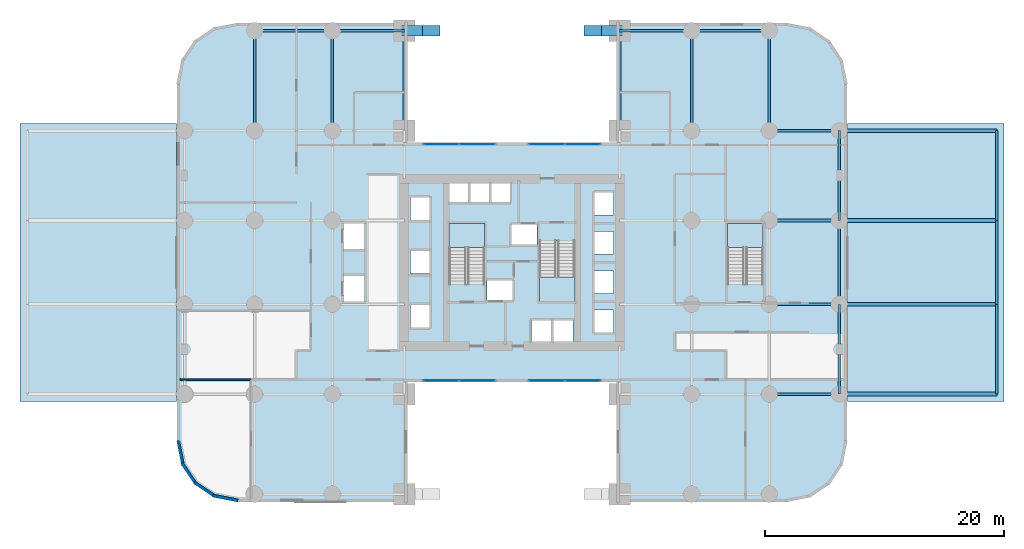
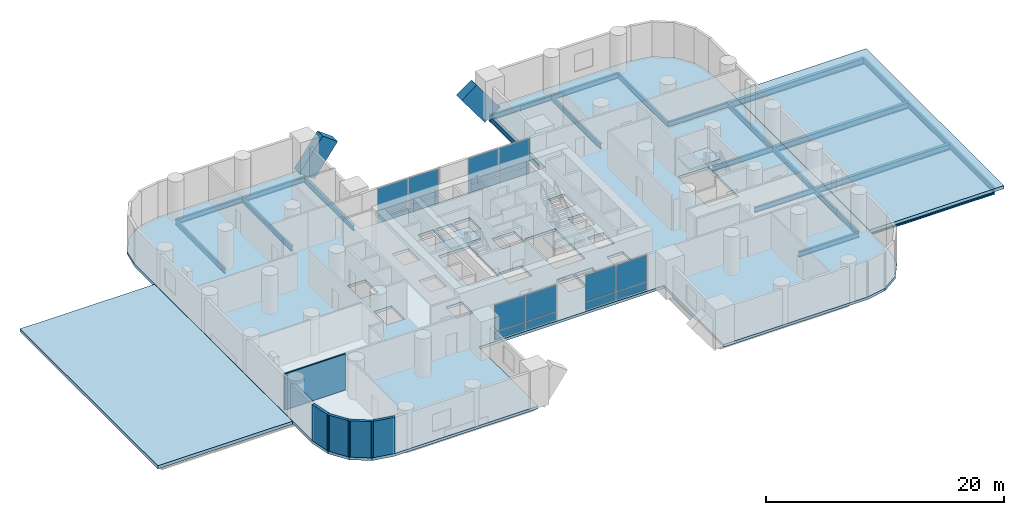
# One storey, part 3 of 8: 26 beams, 16 plates, 6 slabs, 5 walls, 2 members, 7 elements without a shape of their own.
"""IFC4 building model written with IfcOpenShell, lengths in metres."""

from ifc_helpers import new_model, si_unit, direction, frame, frame_2d, origin, origin_2d, place, context, subcontext, project, spatial, polyline, rectangle, i_section, outline, extrude, material, layer, layer_set, material_profile, profile_set, type_object, element, aggregate, save


model = new_model("IFC4")

# Units and contexts
model_context = context("Model", 3, precision=1e-05, world=origin(), true_north=direction((0.0, 1.0)))
body_context = subcontext(model_context, "Body", "Model", "MODEL_VIEW")
ifc_project = project(units=[si_unit("LENGTHUNIT", "METRE"), si_unit("AREAUNIT", "SQUARE_METRE"), si_unit("VOLUMEUNIT", "CUBIC_METRE"), si_unit("PLANEANGLEUNIT", "RADIAN"), si_unit("MASSUNIT", "GRAM", prefix="KILO")], contexts=[model_context])

# Site, building, storey
site_placement = place(None, origin())
site = spatial("IfcSite", under=ifc_project, at=site_placement, CompositionType="ELEMENT")
building_placement = place(site_placement, origin())
building = spatial("IfcBuilding", under=site, at=building_placement, Name="Veldorim Arch Residences", CompositionType="ELEMENT")
storey_placement = place(building_placement, frame((0.0, 0.0, 4.0)))
storey = spatial("IfcBuildingStorey", under=building, at=storey_placement, Name="L01", CompositionType="ELEMENT", Elevation=4.0)

# Members
ifc_material_1 = material(Name="Concrete C60/75", Category="concrete")
ifc_material_profile_1 = material_profile(ifc_material_1, rectangle(XDim=0.89990234375, YDim=1.800048828125, at=origin_2d()), Name="RC_RECT_900x1800")
ifc_profile_set_1 = profile_set([ifc_material_profile_1], Name="Concrete C60/75")
member_type = type_object("IfcMemberType", Name="Giant Podium Arch Parabolic Rib 900x1800", PredefinedType="STRUT", material=ifc_profile_set_1)
for number, where, z_axis, x_axis, name in (
    (1, (23.0, 43.35009765625, 0.0), (0.592076433961, 0.0, 0.805881812891), (0.0, 1.0, 0.0), "Giant Podium Arch N parabolic rib segment 1"),
    (2, (38.75, 43.35009765625, 3.0625), (0.592076433961, 0.0, -0.805881812891), (0.0, 1.0, 0.0), "Giant Podium Arch N parabolic rib segment 8"),
):
    element("IfcMember", number, at=place(storey_placement, frame(where, z_axis=z_axis, x_axis=x_axis)), inside=storey, type_object=member_type, Name=name, PredefinedType="STRUT", context=body_context, shape_type="SweptSolid", body=[
        extrude(rectangle(XDim=0.89990234375, YDim=1.800048828125, at=origin_2d()), origin(), (0.0, 0.0, 1.0), 3.80029296875),
    ])

# Beams
ifc_material_2 = material(Name="Steel S355", Category="steel")
ifc_material_profile_2 = material_profile(ifc_material_2, i_section(OverallWidth=0.2099609375, OverallDepth=0.53662109375, WebThickness=0.0107421875, FlangeThickness=0.017333984375, at=origin_2d()), Name="UB533x210x101")
ifc_profile_set_2 = profile_set([ifc_material_profile_2], Name="Steel S355")
beam_type_1 = type_object("IfcBeamType", Name="Structural Steel Beam UB533x210x101", PredefinedType="BEAM", material=ifc_profile_set_2)
for number, where, z_axis, x_axis, name in (
    (3, (10.5, 35.0, -0.54833984375), (0.0, 1.0, 0.0), (-1.0, 0.0, 0.0), "L01 north-south floor beam (X=10.5, 35.0-43.4)"),
    (4, (17.0, 35.0, -0.54833984375), (0.0, 1.0, 0.0), (-1.0, 0.0, 0.0), "L01 north-south floor beam (X=17.0, 35.0-43.4)"),
    (5, (23.0, 35.0, -0.54833984375), (0.0, 1.0, 0.0), (-1.0, 0.0, 0.0), "L01 north-south floor beam (X=23.0, 35.0-43.4)"),
    (6, (41.0, 35.0, -0.54833984375), (0.0, 1.0, 0.0), (-1.0, 0.0, 0.0), "L01 north-south floor beam (X=41.0, 35.0-43.4)"),
    (7, (47.0, 35.0, -0.54833984375), (0.0, 1.0, 0.0), (-1.0, 0.0, 0.0), "L01 north-south floor beam (X=47.0, 35.0-43.4)"),
    (8, (53.5, 35.0, -0.54833984375), (0.0, 1.0, 0.0), (-1.0, 0.0, 0.0), "L01 north-south floor beam (X=53.5, 35.0-43.4)"),
):
    element("IfcBeam", number, at=place(storey_placement, frame(where, z_axis=z_axis, x_axis=x_axis)), inside=storey, type_object=beam_type_1, Name=name, PredefinedType="BEAM", context=body_context, shape_type="SweptSolid", body=[
        extrude(i_section(OverallWidth=0.2099609375, OverallDepth=0.53662109375, WebThickness=0.0107421875, FlangeThickness=0.017333984375, at=origin_2d()), origin(), (0.0, 0.0, 1.0), 8.35009765625),
    ])
for number, where, z_axis, x_axis, name in (
    (9, (59.35009765625, 13.0, -0.54833984375), (0.0, 1.0, 0.0), (-1.0, 0.0, 0.0), "L01 north-south floor beam (X=59.4, 13.0-16.8)"),
    (10, (59.35009765625, 16.75, -0.54833984375), (0.0, 1.0, 0.0), (-1.0, 0.0, 0.0), "L01 north-south floor beam (X=59.4, 16.8-20.5)"),
):
    element("IfcBeam", number, at=place(storey_placement, frame(where, z_axis=z_axis, x_axis=x_axis)), inside=storey, type_object=beam_type_1, Name=name, PredefinedType="BEAM", context=body_context, shape_type="SweptSolid", body=[
        extrude(i_section(OverallWidth=0.2099609375, OverallDepth=0.53662109375, WebThickness=0.0107421875, FlangeThickness=0.017333984375, at=origin_2d()), origin(), (0.0, 0.0, 1.0), 3.75),
    ])
beam_1_placement = place(storey_placement, frame((59.35009765625, 20.5, -0.54833984375), z_axis=(0.0, 1.0, 0.0), x_axis=(-1.0, 0.0, 0.0)))
element("IfcBeam", 11, at=beam_1_placement, inside=storey, type_object=beam_type_1, Name="L01 north-south floor beam (X=59.4, 20.5-27.5)", PredefinedType="BEAM", context=body_context, shape_type="SweptSolid", body=[
    extrude(i_section(OverallWidth=0.2099609375, OverallDepth=0.53662109375, WebThickness=0.0107421875, FlangeThickness=0.017333984375, at=origin_2d()), origin(), (0.0, 0.0, 1.0), 7.0),
])
for number, where, z_axis, x_axis, name in (
    (12, (59.35009765625, 27.5, -0.54833984375), (0.0, 1.0, 0.0), (-1.0, 0.0, 0.0), "L01 north-south floor beam (X=59.4, 27.5-31.2)"),
    (13, (59.35009765625, 31.25, -0.54833984375), (0.0, 1.0, 0.0), (-1.0, 0.0, 0.0), "L01 north-south floor beam (X=59.4, 31.2-35.0)"),
):
    element("IfcBeam", number, at=place(storey_placement, frame(where, z_axis=z_axis, x_axis=x_axis)), inside=storey, type_object=beam_type_1, Name=name, PredefinedType="BEAM", context=body_context, shape_type="SweptSolid", body=[
        extrude(i_section(OverallWidth=0.2099609375, OverallDepth=0.53662109375, WebThickness=0.0107421875, FlangeThickness=0.017333984375, at=origin_2d()), origin(), (0.0, 0.0, 1.0), 3.75),
    ])
beam_2_placement = place(storey_placement, frame((72.5, 13.0, -0.58837890625), z_axis=(0.0, 1.0, 0.0), x_axis=(-1.0, 0.0, 0.0)))
element("IfcBeam", 14, at=beam_2_placement, inside=storey, type_object=beam_type_1, Name="L01 north-south floor beam (X=72.5, 13.0-20.5)", PredefinedType="BEAM", context=body_context, shape_type="SweptSolid", body=[
    extrude(i_section(OverallWidth=0.2099609375, OverallDepth=0.53662109375, WebThickness=0.0107421875, FlangeThickness=0.017333984375, at=origin_2d()), origin(), (0.0, 0.0, 1.0), 7.5),
])
beam_3_placement = place(storey_placement, frame((72.5, 20.5, -0.58837890625), z_axis=(0.0, 1.0, 0.0), x_axis=(-1.0, 0.0, 0.0)))
element("IfcBeam", 15, at=beam_3_placement, inside=storey, type_object=beam_type_1, Name="L01 north-south floor beam (X=72.5, 20.5-27.5)", PredefinedType="BEAM", context=body_context, shape_type="SweptSolid", body=[
    extrude(i_section(OverallWidth=0.2099609375, OverallDepth=0.53662109375, WebThickness=0.0107421875, FlangeThickness=0.017333984375, at=origin_2d()), origin(), (0.0, 0.0, 1.0), 7.0),
])
beam_4_placement = place(storey_placement, frame((72.5, 27.5, -0.58837890625), z_axis=(0.0, 1.0, 0.0), x_axis=(-1.0, 0.0, 0.0)))
element("IfcBeam", 16, at=beam_4_placement, inside=storey, type_object=beam_type_1, Name="L01 north-south floor beam (X=72.5, 27.5-35.0)", PredefinedType="BEAM", context=body_context, shape_type="SweptSolid", body=[
    extrude(i_section(OverallWidth=0.2099609375, OverallDepth=0.53662109375, WebThickness=0.0107421875, FlangeThickness=0.017333984375, at=origin_2d()), origin(), (0.0, 0.0, 1.0), 7.5),
])
ifc_material_3 = material(Name="Steel S355", Category="steel")
ifc_material_profile_3 = material_profile(ifc_material_3, i_section(OverallWidth=0.2119140625, OverallDepth=0.54443359375, WebThickness=0.0126953125, FlangeThickness=0.021240234375, at=origin_2d()), Name="UB533x210x122")
ifc_profile_set_3 = profile_set([ifc_material_profile_3], Name="Steel S355")
beam_type_2 = type_object("IfcBeamType", Name="Structural Steel Beam UB533x210x122", PredefinedType="BEAM", material=ifc_profile_set_3)
for number, where, z_axis, x_axis, name in (
    (17, (53.5, 13.0, -0.55224609375), (1.0, 0.0, 0.0), (0.0, 1.0, 0.0), "L01 east-west floor beam (53.5-59.4, Y=13.0)"),
    (18, (53.5, 20.5, -0.55224609375), (1.0, 0.0, 0.0), (0.0, 1.0, 0.0), "L01 east-west floor beam (53.5-59.4, Y=20.5)"),
    (19, (53.5, 27.5, -0.55224609375), (1.0, 0.0, 0.0), (0.0, 1.0, 0.0), "L01 east-west floor beam (53.5-59.4, Y=27.5)"),
    (20, (53.5, 35.0, -0.55224609375), (1.0, 0.0, 0.0), (0.0, 1.0, 0.0), "L01 east-west floor beam (53.5-59.4, Y=35.0)"),
):
    element("IfcBeam", number, at=place(storey_placement, frame(where, z_axis=z_axis, x_axis=x_axis)), inside=storey, type_object=beam_type_2, Name=name, PredefinedType="BEAM", context=body_context, shape_type="SweptSolid", body=[
        extrude(i_section(OverallWidth=0.2119140625, OverallDepth=0.54443359375, WebThickness=0.0126953125, FlangeThickness=0.021240234375, at=origin_2d()), origin(), (0.0, 0.0, 1.0), 5.85009765625),
    ])
beam_5_placement = place(storey_placement, frame((10.5, 43.35009765625, -0.55224609375), z_axis=(1.0, 0.0, 0.0), x_axis=(0.0, 1.0, 0.0)))
element("IfcBeam", 21, at=beam_5_placement, inside=storey, type_object=beam_type_2, Name="L01 east-west floor beam (10.5-17.0, Y=43.4)", PredefinedType="BEAM", context=body_context, shape_type="SweptSolid", body=[
    extrude(i_section(OverallWidth=0.2119140625, OverallDepth=0.54443359375, WebThickness=0.0126953125, FlangeThickness=0.021240234375, at=origin_2d()), origin(), (0.0, 0.0, 1.0), 6.5),
])
for number, where, z_axis, x_axis, name in (
    (22, (17.0, 43.35009765625, -0.55224609375), (1.0, 0.0, 0.0), (0.0, 1.0, 0.0), "L01 east-west floor beam (17.0-23.0, Y=43.4)"),
    (23, (41.0, 43.35009765625, -0.55224609375), (1.0, 0.0, 0.0), (0.0, 1.0, 0.0), "L01 east-west floor beam (41.0-47.0, Y=43.4)"),
):
    element("IfcBeam", number, at=place(storey_placement, frame(where, z_axis=z_axis, x_axis=x_axis)), inside=storey, type_object=beam_type_2, Name=name, PredefinedType="BEAM", context=body_context, shape_type="SweptSolid", body=[
        extrude(i_section(OverallWidth=0.2119140625, OverallDepth=0.54443359375, WebThickness=0.0126953125, FlangeThickness=0.021240234375, at=origin_2d()), origin(), (0.0, 0.0, 1.0), 6.0),
    ])
beam_6_placement = place(storey_placement, frame((47.0, 43.35009765625, -0.55224609375), z_axis=(1.0, 0.0, 0.0), x_axis=(0.0, 1.0, 0.0)))
element("IfcBeam", 24, at=beam_6_placement, inside=storey, type_object=beam_type_2, Name="L01 east-west floor beam (47.0-53.5, Y=43.4)", PredefinedType="BEAM", context=body_context, shape_type="SweptSolid", body=[
    extrude(i_section(OverallWidth=0.2119140625, OverallDepth=0.54443359375, WebThickness=0.0126953125, FlangeThickness=0.021240234375, at=origin_2d()), origin(), (0.0, 0.0, 1.0), 6.5),
])
ifc_material_4 = material(Name="Steel S355", Category="steel")
ifc_material_profile_4 = material_profile(ifc_material_4, i_section(OverallWidth=0.30712890625, OverallDepth=0.6201171875, WebThickness=0.01416015625, FlangeThickness=0.023681640625, at=origin_2d()), Name="UB610x305x179")
ifc_profile_set_4 = profile_set([ifc_material_profile_4], Name="Steel S355")
beam_type_3 = type_object("IfcBeamType", Name="Structural Steel Beam UB610x305x179", PredefinedType="BEAM", material=ifc_profile_set_4)
for number, where, z_axis, x_axis, name in (
    (25, (59.35009765625, 13.0, -0.630126953125), (1.0, 0.0, 0.0), (0.0, 1.0, 0.0), "L01 east-west floor beam (59.4-72.5, Y=13.0)"),
    (26, (59.35009765625, 20.5, -0.630126953125), (1.0, 0.0, 0.0), (0.0, 1.0, 0.0), "L01 east-west floor beam (59.4-72.5, Y=20.5)"),
    (27, (59.35009765625, 27.5, -0.630126953125), (1.0, 0.0, 0.0), (0.0, 1.0, 0.0), "L01 east-west floor beam (59.4-72.5, Y=27.5)"),
    (28, (59.35009765625, 35.0, -0.630126953125), (1.0, 0.0, 0.0), (0.0, 1.0, 0.0), "L01 east-west floor beam (59.4-72.5, Y=35.0)"),
):
    element("IfcBeam", number, at=place(storey_placement, frame(where, z_axis=z_axis, x_axis=x_axis)), inside=storey, type_object=beam_type_3, Name=name, PredefinedType="BEAM", context=body_context, shape_type="SweptSolid", body=[
        extrude(i_section(OverallWidth=0.30712890625, OverallDepth=0.6201171875, WebThickness=0.01416015625, FlangeThickness=0.023681640625, at=origin_2d()), origin(), (0.0, 0.0, 1.0), 13.14990234375),
    ])

# Slabs
ifc_material_5 = material(Name="Concrete C40/50", Category="concrete")
ifc_layer_1 = layer(ifc_material_5, 0.320068359375, Name="Podium & Drop-Off Canopy Roof Slab 320")
ifc_layer_set_1 = layer_set([ifc_layer_1], Name="Concrete C40/50")
slab_type_1 = type_object("IfcSlabType", Name="Podium & Drop-Off Canopy Roof Slab 320", PredefinedType="ROOF", material=ifc_layer_set_1)
slab_1_placement = place(storey_placement, frame((0.0, 0.0, -0.320068359375)))
element("IfcSlab", 29, at=slab_1_placement, inside=storey, type_object=slab_type_1, Name="L01 west ambulance drop-off canopy roof slab", PredefinedType="ROOF", context=body_context, shape_type="SweptSolid", body=[
    extrude(outline(polyline([(-9.10009765625, 12.39990234375), (3.969970703125, 12.39990234375), (3.969970703125, 35.60009765625), (-9.10009765625, 35.60009765625), (-9.10009765625, 12.39990234375)])), origin(), (0.0, 0.0, 1.0), 0.320068359375),
])
slab_2_placement = place(storey_placement, frame((0.0, 0.0, -0.320068359375)))
element("IfcSlab", 30, at=slab_2_placement, inside=storey, type_object=slab_type_1, Name="L01 east polyclinic drop-off canopy roof slab", PredefinedType="ROOF", context=body_context, shape_type="SweptSolid", body=[
    extrude(outline(polyline([(60.030029296875, 12.39990234375), (73.10009765625, 12.39990234375), (73.10009765625, 35.60009765625), (60.030029296875, 35.60009765625), (60.030029296875, 12.39990234375)])), origin(), (0.0, 0.0, 1.0), 0.320068359375),
])

# Curtain wall, plates
ifc_material_6 = material(Name="Aluminium", Category="aluminium")
curtain_wall_type = type_object("IfcCurtainWallType", Name="Podium Clinic Double-Glazed Curtain Wall", PredefinedType="NOTDEFINED", material=ifc_material_6)
curtain_wall_1_placement = place(storey_placement, origin())
curtain_wall_1 = element("IfcCurtainWall", 31, at=curtain_wall_1_placement, inside=storey, type_object=curtain_wall_type, Name="L01 polyclinic curtain wall 11-1", PredefinedType="NOTDEFINED")
ifc_material_7 = material(Name="Laminated Low-E Glass", Category="glass")
ifc_layer_2 = layer(ifc_material_7, 0.028076171875, Name="Podium Clinic Double-Glazed Curtain Wall Glazing Panel 28")
ifc_layer_set_2 = layer_set([ifc_layer_2], Name="Laminated Low-E Glass")
plate_type = type_object("IfcPlateType", Name="Podium Clinic Double-Glazed Curtain Wall Glazing Panel 28", PredefinedType="CURTAIN_PANEL", material=ifc_layer_set_2)
plate_1_placement = place(storey_placement, frame((37.90625, 14.125, 0.074951171875), z_axis=(0.0, 0.0, 1.0), x_axis=(-1.0, 0.0, 0.0)))
plate_1 = element("IfcPlate", 32, at=plate_1_placement, type_object=plate_type, Name="CW-POD panel 1.1", PredefinedType="CURTAIN_PANEL", context=body_context, shape_type="SweptSolid", body=[
    extrude(rectangle(XDim=2.9375, YDim=0.028076171875, at=origin_2d()), origin(), (0.0, 0.0, 1.0), 0.78759765625),
])
plate_2_placement = place(storey_placement, frame((37.90625, 14.125, 0.9375), z_axis=(0.0, 0.0, 1.0), x_axis=(-1.0, 0.0, 0.0)))
plate_2 = element("IfcPlate", 33, at=plate_2_placement, type_object=plate_type, Name="CW-POD panel 1.2", PredefinedType="CURTAIN_PANEL", context=body_context, shape_type="SweptSolid", body=[
    extrude(rectangle(XDim=2.9375, YDim=0.028076171875, at=origin_2d()), origin(), (0.0, 0.0, 1.0), 2.70751953125),
])
plate_3_placement = place(storey_placement, frame((34.893798828125, 14.125, 0.074951171875), z_axis=(0.0, 0.0, 1.0), x_axis=(-1.0, 0.0, 0.0)))
plate_3 = element("IfcPlate", 34, at=plate_3_placement, type_object=plate_type, Name="CW-POD panel 2.1", PredefinedType="CURTAIN_PANEL", context=body_context, shape_type="SweptSolid", body=[
    extrude(rectangle(XDim=2.9375, YDim=0.028076171875, at=origin_2d()), origin(), (0.0, 0.0, 1.0), 0.78759765625),
])
plate_4_placement = place(storey_placement, frame((34.893798828125, 14.125, 0.9375), z_axis=(0.0, 0.0, 1.0), x_axis=(-1.0, 0.0, 0.0)))
plate_4 = element("IfcPlate", 35, at=plate_4_placement, type_object=plate_type, Name="CW-POD panel 2.2", PredefinedType="CURTAIN_PANEL", context=body_context, shape_type="SweptSolid", body=[
    extrude(rectangle(XDim=2.9375, YDim=0.028076171875, at=origin_2d()), origin(), (0.0, 0.0, 1.0), 2.70751953125),
])
aggregate(curtain_wall_1, [plate_1, plate_2, plate_3, plate_4])

curtain_wall_2_placement = place(storey_placement, origin())
curtain_wall_2 = element("IfcCurtainWall", 36, at=curtain_wall_2_placement, inside=storey, type_object=curtain_wall_type, Name="L01 polyclinic curtain wall 11-2", PredefinedType="NOTDEFINED")
plate_5_placement = place(storey_placement, frame((29.106201171875, 14.125, 0.074951171875), z_axis=(0.0, 0.0, 1.0), x_axis=(-1.0, 0.0, 0.0)))
plate_5 = element("IfcPlate", 37, at=plate_5_placement, type_object=plate_type, Name="CW-POD panel 1.1", PredefinedType="CURTAIN_PANEL", context=body_context, shape_type="SweptSolid", body=[
    extrude(rectangle(XDim=2.9375, YDim=0.028076171875, at=origin_2d()), origin(), (0.0, 0.0, 1.0), 0.78759765625),
])
plate_6_placement = place(storey_placement, frame((29.106201171875, 14.125, 0.9375), z_axis=(0.0, 0.0, 1.0), x_axis=(-1.0, 0.0, 0.0)))
plate_6 = element("IfcPlate", 38, at=plate_6_placement, type_object=plate_type, Name="CW-POD panel 1.2", PredefinedType="CURTAIN_PANEL", context=body_context, shape_type="SweptSolid", body=[
    extrude(rectangle(XDim=2.9375, YDim=0.028076171875, at=origin_2d()), origin(), (0.0, 0.0, 1.0), 2.70751953125),
])
plate_7_placement = place(storey_placement, frame((26.09375, 14.125, 0.074951171875), z_axis=(0.0, 0.0, 1.0), x_axis=(-1.0, 0.0, 0.0)))
plate_7 = element("IfcPlate", 39, at=plate_7_placement, type_object=plate_type, Name="CW-POD panel 2.1", PredefinedType="CURTAIN_PANEL", context=body_context, shape_type="SweptSolid", body=[
    extrude(rectangle(XDim=2.9375, YDim=0.028076171875, at=origin_2d()), origin(), (0.0, 0.0, 1.0), 0.78759765625),
])
plate_8_placement = place(storey_placement, frame((26.09375, 14.125, 0.9375), z_axis=(0.0, 0.0, 1.0), x_axis=(-1.0, 0.0, 0.0)))
plate_8 = element("IfcPlate", 40, at=plate_8_placement, type_object=plate_type, Name="CW-POD panel 2.2", PredefinedType="CURTAIN_PANEL", context=body_context, shape_type="SweptSolid", body=[
    extrude(rectangle(XDim=2.9375, YDim=0.028076171875, at=origin_2d()), origin(), (0.0, 0.0, 1.0), 2.70751953125),
])
aggregate(curtain_wall_2, [plate_5, plate_6, plate_7, plate_8])

curtain_wall_3_placement = place(storey_placement, origin())
curtain_wall_3 = element("IfcCurtainWall", 41, at=curtain_wall_3_placement, inside=storey, type_object=curtain_wall_type, Name="L01 polyclinic curtain wall 25-1", PredefinedType="NOTDEFINED")
plate_9_placement = place(storey_placement, frame((26.09375, 33.875, 0.074951171875), z_axis=(0.0, 0.0, 1.0), x_axis=(1.0, 0.0, 0.0)))
plate_9 = element("IfcPlate", 42, at=plate_9_placement, type_object=plate_type, Name="CW-POD panel 1.1", PredefinedType="CURTAIN_PANEL", context=body_context, shape_type="SweptSolid", body=[
    extrude(rectangle(XDim=2.9375, YDim=0.028076171875, at=origin_2d()), origin(), (0.0, 0.0, 1.0), 0.78759765625),
])
plate_10_placement = place(storey_placement, frame((26.09375, 33.875, 0.9375), z_axis=(0.0, 0.0, 1.0), x_axis=(1.0, 0.0, 0.0)))
plate_10 = element("IfcPlate", 43, at=plate_10_placement, type_object=plate_type, Name="CW-POD panel 1.2", PredefinedType="CURTAIN_PANEL", context=body_context, shape_type="SweptSolid", body=[
    extrude(rectangle(XDim=2.9375, YDim=0.028076171875, at=origin_2d()), origin(), (0.0, 0.0, 1.0), 2.70751953125),
])
plate_11_placement = place(storey_placement, frame((29.106201171875, 33.875, 0.074951171875), z_axis=(0.0, 0.0, 1.0), x_axis=(1.0, 0.0, 0.0)))
plate_11 = element("IfcPlate", 44, at=plate_11_placement, type_object=plate_type, Name="CW-POD panel 2.1", PredefinedType="CURTAIN_PANEL", context=body_context, shape_type="SweptSolid", body=[
    extrude(rectangle(XDim=2.9375, YDim=0.028076171875, at=origin_2d()), origin(), (0.0, 0.0, 1.0), 0.78759765625),
])
plate_12_placement = place(storey_placement, frame((29.106201171875, 33.875, 0.9375), z_axis=(0.0, 0.0, 1.0), x_axis=(1.0, 0.0, 0.0)))
plate_12 = element("IfcPlate", 45, at=plate_12_placement, type_object=plate_type, Name="CW-POD panel 2.2", PredefinedType="CURTAIN_PANEL", context=body_context, shape_type="SweptSolid", body=[
    extrude(rectangle(XDim=2.9375, YDim=0.028076171875, at=origin_2d()), origin(), (0.0, 0.0, 1.0), 2.70751953125),
])
aggregate(curtain_wall_3, [plate_9, plate_10, plate_11, plate_12])

curtain_wall_4_placement = place(storey_placement, origin())
curtain_wall_4 = element("IfcCurtainWall", 46, at=curtain_wall_4_placement, inside=storey, type_object=curtain_wall_type, Name="L01 polyclinic curtain wall 25-2", PredefinedType="NOTDEFINED")
plate_13_placement = place(storey_placement, frame((34.893798828125, 33.875, 0.074951171875), z_axis=(0.0, 0.0, 1.0), x_axis=(1.0, 0.0, 0.0)))
plate_13 = element("IfcPlate", 47, at=plate_13_placement, type_object=plate_type, Name="CW-POD panel 1.1", PredefinedType="CURTAIN_PANEL", context=body_context, shape_type="SweptSolid", body=[
    extrude(rectangle(XDim=2.9375, YDim=0.028076171875, at=origin_2d()), origin(), (0.0, 0.0, 1.0), 0.78759765625),
])
plate_14_placement = place(storey_placement, frame((34.893798828125, 33.875, 0.9375), z_axis=(0.0, 0.0, 1.0), x_axis=(1.0, 0.0, 0.0)))
plate_14 = element("IfcPlate", 48, at=plate_14_placement, type_object=plate_type, Name="CW-POD panel 1.2", PredefinedType="CURTAIN_PANEL", context=body_context, shape_type="SweptSolid", body=[
    extrude(rectangle(XDim=2.9375, YDim=0.028076171875, at=origin_2d()), origin(), (0.0, 0.0, 1.0), 2.70751953125),
])
plate_15_placement = place(storey_placement, frame((37.90625, 33.875, 0.074951171875), z_axis=(0.0, 0.0, 1.0), x_axis=(1.0, 0.0, 0.0)))
plate_15 = element("IfcPlate", 49, at=plate_15_placement, type_object=plate_type, Name="CW-POD panel 2.1", PredefinedType="CURTAIN_PANEL", context=body_context, shape_type="SweptSolid", body=[
    extrude(rectangle(XDim=2.9375, YDim=0.028076171875, at=origin_2d()), origin(), (0.0, 0.0, 1.0), 0.78759765625),
])
plate_16_placement = place(storey_placement, frame((37.90625, 33.875, 0.9375), z_axis=(0.0, 0.0, 1.0), x_axis=(1.0, 0.0, 0.0)))
plate_16 = element("IfcPlate", 50, at=plate_16_placement, type_object=plate_type, Name="CW-POD panel 2.2", PredefinedType="CURTAIN_PANEL", context=body_context, shape_type="SweptSolid", body=[
    extrude(rectangle(XDim=2.9375, YDim=0.028076171875, at=origin_2d()), origin(), (0.0, 0.0, 1.0), 2.70751953125),
])
aggregate(curtain_wall_4, [plate_13, plate_14, plate_15, plate_16])

# Slab
ifc_material_8 = material(Name="Concrete C40/50", Category="concrete")
ifc_layer_3 = layer(ifc_material_8, 0.280029296875, Name="Podium Polyclinic Floor Slab 280")
ifc_layer_set_3 = layer_set([ifc_layer_3], Name="Concrete C40/50")
slab_type_2 = type_object("IfcSlabType", Name="Podium Polyclinic Floor Slab 280", PredefinedType="FLOOR", material=ifc_layer_set_3)
slab_3_placement = place(storey_placement, frame((0.0, 0.0, -0.280029296875)))
element("IfcSlab", 51, at=slab_3_placement, inside=storey, type_object=slab_type_2, Name="L01 outpatient polyclinic floor slab", PredefinedType="FLOOR", context=body_context, shape_type="SweptSolid", body=[
    extrude(outline(polyline([(55.0, 44.0), (56.913330078125, 43.619384765625), (58.535400390625, 42.535400390625), (59.619384765625, 40.913330078125), (60.0, 39.0), (60.0, 9.0), (59.619384765625, 7.086669921875), (58.535400390625, 5.464599609375), (56.913330078125, 4.380615234375), (55.0, 4.0), (41.0, 4.0), (41.0, 14.0), (23.0, 14.0), (23.0, 4.0), (9.0, 4.0), (7.086669921875, 4.380615234375), (5.464599609375, 5.464599609375), (4.380615234375, 7.086669921875), (4.0, 9.0), (4.0, 39.0), (4.380615234375, 40.913330078125), (5.464599609375, 42.535400390625), (7.086669921875, 43.619384765625), (9.0, 44.0), (23.0, 44.0), (23.0, 34.0), (41.0, 34.0), (41.0, 44.0), (55.0, 44.0)]), holes=[polyline([(23.510009765625, 20.43994140625), (25.090087890625, 20.43994140625), (25.090087890625, 18.56005859375), (23.510009765625, 18.56005859375), (23.510009765625, 20.43994140625)]), polyline([(29.909912109375, 22.544921875), (32.090087890625, 22.544921875), (32.090087890625, 20.81494140625), (29.909912109375, 20.81494140625), (29.909912109375, 22.544921875)]), polyline([(17.93505859375, 22.889892578125), (19.6650390625, 22.889892578125), (19.6650390625, 20.7099609375), (17.93505859375, 20.7099609375), (17.93505859375, 22.889892578125)]), polyline([(23.510009765625, 24.93994140625), (25.090087890625, 24.93994140625), (25.090087890625, 23.06005859375), (23.510009765625, 23.06005859375), (23.510009765625, 24.93994140625)]), polyline([(26.75, 27.25), (29.7099609375, 27.25), (29.7099609375, 22.195068359375), (26.75, 22.195068359375), (26.75, 27.25)]), polyline([(17.93505859375, 27.2900390625), (19.6650390625, 27.2900390625), (19.6650390625, 25.110107421875), (17.93505859375, 25.110107421875), (17.93505859375, 27.2900390625)]), polyline([(23.510009765625, 29.43994140625), (25.090087890625, 29.43994140625), (25.090087890625, 27.56005859375), (23.510009765625, 27.56005859375), (23.510009765625, 29.43994140625)]), polyline([(28.340087890625, 30.7900390625), (28.340087890625, 28.909912109375), (26.760009765625, 28.909912109375), (26.760009765625, 30.7900390625), (28.340087890625, 30.7900390625)]), polyline([(30.090087890625, 30.7900390625), (30.090087890625, 28.909912109375), (28.510009765625, 28.909912109375), (28.510009765625, 30.7900390625), (30.090087890625, 30.7900390625)]), polyline([(30.260009765625, 30.7900390625), (31.840087890625, 30.7900390625), (31.840087890625, 28.909912109375), (30.260009765625, 28.909912109375), (30.260009765625, 30.7900390625)]), polyline([(33.610107421875, 19.2900390625), (35.2900390625, 19.2900390625), (35.2900390625, 17.2099609375), (33.610107421875, 17.2099609375), (33.610107421875, 19.2900390625)]), polyline([(35.409912109375, 19.2900390625), (37.090087890625, 19.2900390625), (37.090087890625, 17.2099609375), (35.409912109375, 17.2099609375), (35.409912109375, 19.2900390625)]), polyline([(40.489990234375, 20.0400390625), (40.489990234375, 18.159912109375), (38.909912109375, 18.159912109375), (38.909912109375, 20.0400390625), (40.489990234375, 20.0400390625)]), polyline([(40.489990234375, 23.2900390625), (40.489990234375, 21.409912109375), (38.909912109375, 21.409912109375), (38.909912109375, 23.2900390625), (40.489990234375, 23.2900390625)]), polyline([(34.2900390625, 25.804931640625), (37.25, 25.804931640625), (37.25, 20.75), (34.2900390625, 20.75), (34.2900390625, 25.804931640625)]), polyline([(50.0, 27.25), (52.9599609375, 27.25), (52.9599609375, 22.195068359375), (50.0, 22.195068359375), (50.0, 27.25)]), polyline([(38.909912109375, 26.590087890625), (40.489990234375, 26.590087890625), (40.489990234375, 24.7099609375), (38.909912109375, 24.7099609375), (38.909912109375, 26.590087890625)]), polyline([(34.090087890625, 27.18505859375), (34.090087890625, 25.455078125), (31.909912109375, 25.455078125), (31.909912109375, 27.18505859375), (34.090087890625, 27.18505859375)]), polyline([(40.489990234375, 29.840087890625), (40.489990234375, 27.9599609375), (38.909912109375, 27.9599609375), (38.909912109375, 29.840087890625), (40.489990234375, 29.840087890625)])]), origin(), (0.0, 0.0, 1.0), 0.280029296875),
])

# Stair, slab
ifc_material_9 = material(Name="Concrete C40/50", Category="concrete")
stair_type = type_object("IfcStairType", Name="Reinforced Concrete Dogleg Exit Staircase", PredefinedType="HALF_TURN_STAIR", material=ifc_material_9)
stair_1_placement = place(storey_placement, origin())
stair_1 = element("IfcStair", 52, at=stair_1_placement, inside=storey, type_object=stair_type, Name="L01 Exit Staircase ST-1", PredefinedType="HALF_TURN_STAIR")
ifc_material_10 = material(Name="Concrete C40/50", Category="concrete")
ifc_layer_4 = layer(ifc_material_10, 0.199951171875, Name="Reinforced Concrete Stair Landing 200")
ifc_layer_set_4 = layer_set([ifc_layer_4], Name="Concrete C40/50")
slab_type_3 = type_object("IfcSlabType", Name="Reinforced Concrete Stair Landing 200", PredefinedType="LANDING", material=ifc_layer_set_4)
slab_4_placement = place(storey_placement, frame((0.0, 0.0, 1.800048828125)))
slab_4 = element("IfcSlab", 53, at=slab_4_placement, type_object=slab_type_3, Name="ST-1 landing 1", PredefinedType="LANDING", context=body_context, shape_type="SweptSolid", body=[
    extrude(outline(polyline([(29.7099609375, 25.22998046875), (29.7099609375, 27.25), (26.75, 27.25), (26.75, 25.22998046875), (29.7099609375, 25.22998046875)])), origin(), (0.0, 0.0, 1.0), 0.199951171875),
])
aggregate(stair_1, [slab_4])

stair_2_placement = place(storey_placement, origin())
stair_2 = element("IfcStair", 54, at=stair_2_placement, inside=storey, type_object=stair_type, Name="L01 Exit Staircase ST-2", PredefinedType="HALF_TURN_STAIR")
slab_5_placement = place(storey_placement, frame((0.0, 0.0, 1.800048828125)))
slab_5 = element("IfcSlab", 55, at=slab_5_placement, type_object=slab_type_3, Name="ST-2 landing 1", PredefinedType="LANDING", context=body_context, shape_type="SweptSolid", body=[
    extrude(outline(polyline([(34.2900390625, 22.77001953125), (34.2900390625, 20.75), (37.25, 20.75), (37.25, 22.77001953125), (34.2900390625, 22.77001953125)])), origin(), (0.0, 0.0, 1.0), 0.199951171875),
])
aggregate(stair_2, [slab_5])

stair_3_placement = place(storey_placement, origin())
stair_3 = element("IfcStair", 56, at=stair_3_placement, inside=storey, type_object=stair_type, Name="L01 Exit Staircase ST-3", PredefinedType="HALF_TURN_STAIR")
slab_6_placement = place(storey_placement, frame((0.0, 0.0, 1.800048828125)))
slab_6 = element("IfcSlab", 57, at=slab_6_placement, type_object=slab_type_3, Name="ST-3 landing 1", PredefinedType="LANDING", context=body_context, shape_type="SweptSolid", body=[
    extrude(outline(polyline([(52.9599609375, 25.22998046875), (52.9599609375, 27.25), (50.0, 27.25), (50.0, 25.22998046875), (52.9599609375, 25.22998046875)])), origin(), (0.0, 0.0, 1.0), 0.199951171875),
])
aggregate(stair_3, [slab_6])

# Walls
ifc_material_11 = material(Name="Acoustic Gypsum Board", Category="gypsum")
ifc_layer_5 = layer(ifc_material_11, 0.125, Name="Acoustic Stud Room Partition Wall 125")
ifc_layer_set_5 = layer_set([ifc_layer_5], Name="Acoustic Gypsum Board")
wall_type_1 = type_object("IfcWallType", Name="Acoustic Stud Room Partition Wall 125", PredefinedType="PARTITIONING", material=ifc_layer_set_5)
wall_1_placement = place(storey_placement, frame((4.25, 14.199951171875, 0.0), z_axis=(0.0, 0.0, 1.0), x_axis=(1.0, 0.0, 0.0)))
element("IfcWall", 58, at=wall_1_placement, inside=storey, type_object=wall_type_1, Name="L01 interior wall WL-POD-L01-022", PredefinedType="PARTITIONING", context=body_context, shape_type="SweptSolid", body=[
    extrude(rectangle(XDim=5.889892578125, YDim=0.125, at=frame_2d((2.94482421875, 0.0))), origin(), (0.0, 0.0, 1.0), 3.715087890625),
])
ifc_material_12 = material(Name="Precast concrete C40/50", Category="concrete")
ifc_layer_6 = layer(ifc_material_12, 0.25, Name="Podium Terracotta Insulated Facade Wall 250")
ifc_layer_set_6 = layer_set([ifc_layer_6], Name="Precast concrete C40/50")
wall_type_2 = type_object("IfcWallType", Name="Podium Terracotta Insulated Facade Wall 250", PredefinedType="SOLIDWALL", material=ifc_layer_set_6)
wall_2_placement = place(storey_placement, frame((9.12255859375, 4.10302734375, 0.0), z_axis=(0.0, 0.0, 1.0), x_axis=(-0.980780974951, 0.195111965738, 0.0)))
element("IfcWall", 59, at=wall_2_placement, inside=storey, type_object=wall_type_2, Name="L01 podium terracotta facade wall 14", PredefinedType="SOLIDWALL", context=body_context, shape_type="SweptSolid", body=[
    extrude(rectangle(XDim=2.15087890625, YDim=0.25, at=frame_2d((1.075439453125, 0.0))), origin(), (0.0, 0.0, 1.0), 3.719970703125),
])
for number, where, z_axis, x_axis, name in (
    (60, (7.2392578125, 4.428955078125, 0.0), (0.0, 0.0, 1.0), (-0.831473633615, 0.555564214653, 0.0), "L01 podium terracotta facade wall 15"),
    (61, (5.6240234375, 5.45068359375, 0.0), (0.0, 0.0, 1.0), (-0.555564214653, 0.831473633615, 0.0), "L01 podium terracotta facade wall 16"),
):
    element("IfcWall", number, at=place(storey_placement, frame(where, z_axis=z_axis, x_axis=x_axis)), inside=storey, type_object=wall_type_2, Name=name, PredefinedType="SOLIDWALL", context=body_context, shape_type="SweptSolid", body=[
        extrude(rectangle(XDim=2.151123046875, YDim=0.25, at=frame_2d((1.07568359375, 0.0))), origin(), (0.0, 0.0, 1.0), 3.719970703125),
    ])
wall_3_placement = place(storey_placement, frame((4.522705078125, 7.012939453125, 0.0), z_axis=(0.0, 0.0, 1.0), x_axis=(-0.195111965738, 0.980780974951, 0.0)))
element("IfcWall", 62, at=wall_3_placement, inside=storey, type_object=wall_type_2, Name="L01 podium terracotta facade wall 17", PredefinedType="SOLIDWALL", context=body_context, shape_type="SweptSolid", body=[
    extrude(rectangle(XDim=2.15087890625, YDim=0.25, at=frame_2d((1.075439453125, 0.0))), origin(), (0.0, 0.0, 1.0), 3.719970703125),
])

save(model, "model.ifc")
